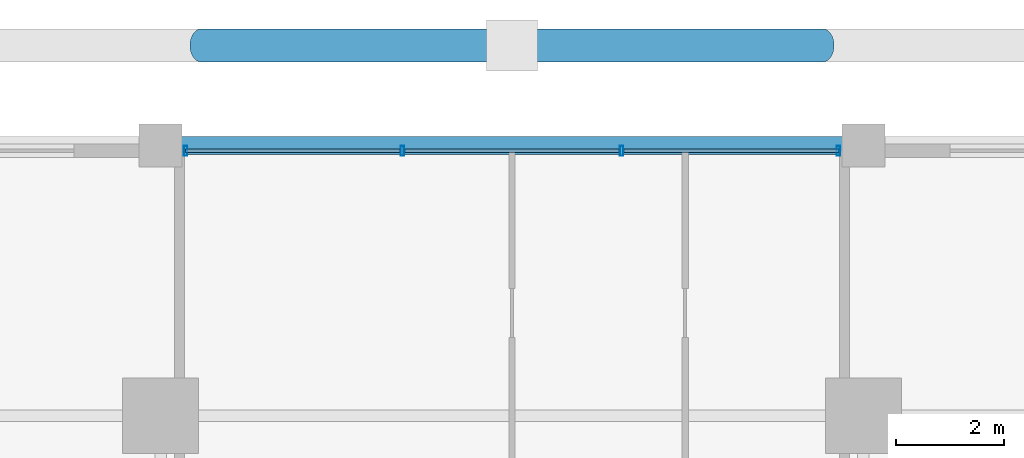
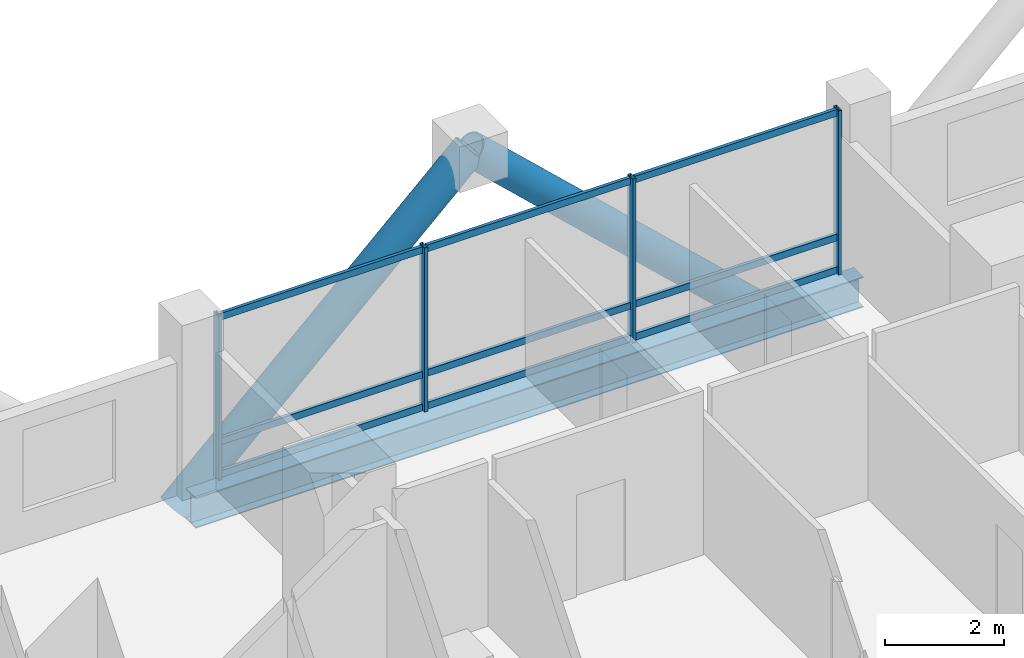
# One storey, part 13 of 24: 15 members, 1 beam, 1 element without a shape of its own.
"""IFC4 building model written with IfcOpenShell, lengths in metres."""

from ifc_helpers import new_model, si_unit, direction, frame, origin, origin_2d, place, context, subcontext, project, spatial, hollow_rectangle, hollow_circle, i_section, extrude, material, layer, layer_set, material_profile, profile_set, type_object, element, aggregate, save


model = new_model("IFC4")

# Units and contexts
model_context = context("Model", 3, precision=1e-05, world=origin(), true_north=direction((0.0, 1.0)))
body_context = subcontext(model_context, "Body", "Model", "MODEL_VIEW")
ifc_project = project(units=[si_unit("LENGTHUNIT", "METRE"), si_unit("AREAUNIT", "SQUARE_METRE"), si_unit("VOLUMEUNIT", "CUBIC_METRE"), si_unit("PLANEANGLEUNIT", "RADIAN"), si_unit("MASSUNIT", "GRAM", prefix="KILO")], contexts=[model_context])

# Site, building, storey
site_placement = place(None, origin())
site = spatial("IfcSite", under=ifc_project, at=site_placement, CompositionType="ELEMENT")
building_placement = place(site_placement, origin())
building = spatial("IfcBuilding", under=site, at=building_placement, Name="Barlavira Tower and Art Museum", CompositionType="ELEMENT")
storey_placement = place(building_placement, frame((0.0, 0.0, 46.800048828125)))
storey = spatial("IfcBuildingStorey", under=building, at=storey_placement, Name="L10", CompositionType="ELEMENT", Elevation=46.800048828125)

# Curtain wall, members
ifc_material_1 = material(Name="Low-iron coastal laminated glass", Category="glass")
ifc_layer = layer(ifc_material_1, 0.179931640625, Name="Low-iron coastal laminated glass")
ifc_layer_set = layer_set([ifc_layer], Name="Low-iron coastal laminated glass")
curtain_wall_type = type_object("IfcCurtainWallType", Name="Pale-Metal Unitised Curtain Wall Zone 1", PredefinedType="NOTDEFINED", material=ifc_layer_set)
curtain_wall_placement = place(storey_placement, origin())
curtain_wall = element("IfcCurtainWall", 1, at=curtain_wall_placement, inside=storey, type_object=curtain_wall_type, Name="L10 Curtain Wall CW1-L10-N-B3", PredefinedType="NOTDEFINED")
ifc_material_2 = material(Name="Pale anodised aluminium", Category="aluminium")
ifc_material_profile_1 = material_profile(ifc_material_2, hollow_rectangle(XDim=0.06494140625, YDim=0.179931640625, WallThickness=0.00390625, at=origin_2d()), Name="ALU-MULL 65x180x4")
ifc_profile_set_1 = profile_set([ifc_material_profile_1], Name="Pale anodised aluminium")
member_type_1 = type_object("IfcMemberType", Name="Curtain Wall Pale-Metal Mullion 65x180", PredefinedType="MULLION", material=ifc_profile_set_1)
member_1_placement = place(storey_placement, frame((6.034912109375, 24.89990234375, 0.0), z_axis=(0.0, 0.0, 1.0), x_axis=(-1.0, 0.0, 0.0)))
member_1 = element("IfcMember", 2, at=member_1_placement, type_object=member_type_1, Name="CW1-L10-N-B3 Mullion 0", PredefinedType="MULLION", context=body_context, shape_type="SweptSolid", body=[
    extrude(hollow_rectangle(XDim=0.06494140625, YDim=0.179931640625, WallThickness=0.00390625, at=origin_2d()), origin(), (0.0, 0.0, 1.0), 3.3798828125),
])
member_2_placement = place(storey_placement, frame((2.026611328125, 24.89990234375, 0.0), z_axis=(0.0, 0.0, 1.0), x_axis=(-1.0, 0.0, 0.0)))
member_2 = element("IfcMember", 3, at=member_2_placement, type_object=member_type_1, Name="CW1-L10-N-B3 Mullion 1", PredefinedType="MULLION", context=body_context, shape_type="SweptSolid", body=[
    extrude(hollow_rectangle(XDim=0.06494140625, YDim=0.179931640625, WallThickness=0.00390625, at=origin_2d()), origin(), (0.0, 0.0, 1.0), 3.3798828125),
])
member_3_placement = place(storey_placement, frame((-2.026611328125, 24.89990234375, 0.0), z_axis=(0.0, 0.0, 1.0), x_axis=(-1.0, 0.0, 0.0)))
member_3 = element("IfcMember", 4, at=member_3_placement, type_object=member_type_1, Name="CW1-L10-N-B3 Mullion 2", PredefinedType="MULLION", context=body_context, shape_type="SweptSolid", body=[
    extrude(hollow_rectangle(XDim=0.06494140625, YDim=0.179931640625, WallThickness=0.00390625, at=origin_2d()), origin(), (0.0, 0.0, 1.0), 3.3798828125),
])
member_4_placement = place(storey_placement, frame((-6.034912109375, 24.89990234375, 0.0), z_axis=(0.0, 0.0, 1.0), x_axis=(-1.0, 0.0, 0.0)))
member_4 = element("IfcMember", 5, at=member_4_placement, type_object=member_type_1, Name="CW1-L10-N-B3 Mullion 3", PredefinedType="MULLION", context=body_context, shape_type="SweptSolid", body=[
    extrude(hollow_rectangle(XDim=0.06494140625, YDim=0.179931640625, WallThickness=0.00390625, at=origin_2d()), origin(), (0.0, 0.0, 1.0), 3.3798828125),
])
ifc_material_profile_2 = material_profile(ifc_material_2, hollow_rectangle(XDim=0.06494140625, YDim=0.139892578125, WallThickness=0.00390625, at=origin_2d()), Name="ALU-TRAN 65x140x4")
ifc_profile_set_2 = profile_set([ifc_material_profile_2], Name="Pale anodised aluminium")
member_type_2 = type_object("IfcMemberType", Name="Curtain Wall Pale-Metal Transom 65x140", PredefinedType="USERDEFINED", material=ifc_profile_set_2)
member_5_placement = place(storey_placement, frame((6.034912109375, 24.89990234375, 0.070068359375), z_axis=(-1.0, 0.0, 0.0), x_axis=(0.0, -1.0, 0.0)))
member_5 = element("IfcMember", 6, at=member_5_placement, type_object=member_type_2, Name="CW1-L10-N-B3 Transom 0.1", ObjectType="TRANSOM", PredefinedType="USERDEFINED", context=body_context, shape_type="SweptSolid", body=[
    extrude(hollow_rectangle(XDim=0.06494140625, YDim=0.139892578125, WallThickness=0.00390625, at=origin_2d()), origin(), (0.0, 0.0, 1.0), 3.963134765625),
])
member_6_placement = place(storey_placement, frame((6.034912109375, 24.89990234375, 0.743896484375), z_axis=(-1.0, 0.0, 0.0), x_axis=(0.0, -1.0, 0.0)))
member_6 = element("IfcMember", 7, at=member_6_placement, type_object=member_type_2, Name="CW1-L10-N-B3 Transom 0.2", ObjectType="TRANSOM", PredefinedType="USERDEFINED", context=body_context, shape_type="SweptSolid", body=[
    extrude(hollow_rectangle(XDim=0.06494140625, YDim=0.139892578125, WallThickness=0.00390625, at=origin_2d()), origin(), (0.0, 0.0, 1.0), 3.963134765625),
])
member_7_placement = place(storey_placement, frame((6.034912109375, 24.89990234375, 3.31005859375), z_axis=(-1.0, 0.0, 0.0), x_axis=(0.0, -1.0, 0.0)))
member_7 = element("IfcMember", 8, at=member_7_placement, type_object=member_type_2, Name="CW1-L10-N-B3 Transom 0.3", ObjectType="TRANSOM", PredefinedType="USERDEFINED", context=body_context, shape_type="SweptSolid", body=[
    extrude(hollow_rectangle(XDim=0.06494140625, YDim=0.139892578125, WallThickness=0.00390625, at=origin_2d()), origin(), (0.0, 0.0, 1.0), 3.963134765625),
])
member_8_placement = place(storey_placement, frame((1.981689453125, 24.89990234375, 0.070068359375), z_axis=(-1.0, 0.0, 0.0), x_axis=(0.0, -1.0, 0.0)))
member_8 = element("IfcMember", 9, at=member_8_placement, type_object=member_type_2, Name="CW1-L10-N-B3 Transom 1.1", ObjectType="TRANSOM", PredefinedType="USERDEFINED", context=body_context, shape_type="SweptSolid", body=[
    extrude(hollow_rectangle(XDim=0.06494140625, YDim=0.139892578125, WallThickness=0.00390625, at=origin_2d()), origin(), (0.0, 0.0, 1.0), 3.96337890625),
])
member_9_placement = place(storey_placement, frame((1.981689453125, 24.89990234375, 0.743896484375), z_axis=(-1.0, 0.0, 0.0), x_axis=(0.0, -1.0, 0.0)))
member_9 = element("IfcMember", 10, at=member_9_placement, type_object=member_type_2, Name="CW1-L10-N-B3 Transom 1.2", ObjectType="TRANSOM", PredefinedType="USERDEFINED", context=body_context, shape_type="SweptSolid", body=[
    extrude(hollow_rectangle(XDim=0.06494140625, YDim=0.139892578125, WallThickness=0.00390625, at=origin_2d()), origin(), (0.0, 0.0, 1.0), 3.96337890625),
])
member_10_placement = place(storey_placement, frame((1.981689453125, 24.89990234375, 3.31005859375), z_axis=(-1.0, 0.0, 0.0), x_axis=(0.0, -1.0, 0.0)))
member_10 = element("IfcMember", 11, at=member_10_placement, type_object=member_type_2, Name="CW1-L10-N-B3 Transom 1.3", ObjectType="TRANSOM", PredefinedType="USERDEFINED", context=body_context, shape_type="SweptSolid", body=[
    extrude(hollow_rectangle(XDim=0.06494140625, YDim=0.139892578125, WallThickness=0.00390625, at=origin_2d()), origin(), (0.0, 0.0, 1.0), 3.96337890625),
])
member_11_placement = place(storey_placement, frame((-2.07177734375, 24.89990234375, 0.070068359375), z_axis=(-1.0, 0.0, 0.0), x_axis=(0.0, -1.0, 0.0)))
member_11 = element("IfcMember", 12, at=member_11_placement, type_object=member_type_2, Name="CW1-L10-N-B3 Transom 2.1", ObjectType="TRANSOM", PredefinedType="USERDEFINED", context=body_context, shape_type="SweptSolid", body=[
    extrude(hollow_rectangle(XDim=0.06494140625, YDim=0.139892578125, WallThickness=0.00390625, at=origin_2d()), origin(), (0.0, 0.0, 1.0), 3.963134765625),
])
member_12_placement = place(storey_placement, frame((-2.07177734375, 24.89990234375, 0.743896484375), z_axis=(-1.0, 0.0, 0.0), x_axis=(0.0, -1.0, 0.0)))
member_12 = element("IfcMember", 13, at=member_12_placement, type_object=member_type_2, Name="CW1-L10-N-B3 Transom 2.2", ObjectType="TRANSOM", PredefinedType="USERDEFINED", context=body_context, shape_type="SweptSolid", body=[
    extrude(hollow_rectangle(XDim=0.06494140625, YDim=0.139892578125, WallThickness=0.00390625, at=origin_2d()), origin(), (0.0, 0.0, 1.0), 3.963134765625),
])
member_13_placement = place(storey_placement, frame((-2.07177734375, 24.89990234375, 3.31005859375), z_axis=(-1.0, 0.0, 0.0), x_axis=(0.0, -1.0, 0.0)))
member_13 = element("IfcMember", 14, at=member_13_placement, type_object=member_type_2, Name="CW1-L10-N-B3 Transom 2.3", ObjectType="TRANSOM", PredefinedType="USERDEFINED", context=body_context, shape_type="SweptSolid", body=[
    extrude(hollow_rectangle(XDim=0.06494140625, YDim=0.139892578125, WallThickness=0.00390625, at=origin_2d()), origin(), (0.0, 0.0, 1.0), 3.963134765625),
])
aggregate(curtain_wall, [member_1, member_2, member_3, member_4, member_5, member_6, member_7, member_8, member_9, member_10, member_11, member_12, member_13])

# Members
ifc_material_3 = material(Name="Steel S355", Category="steel")
ifc_material_profile_3 = material_profile(ifc_material_3, hollow_circle(Radius=0.304931640625, WallThickness=0.028076171875, at=origin_2d()), Name="CHS 610.0x28.0")
ifc_profile_set_3 = profile_set([ifc_material_profile_3], Name="Steel S355")
member_type_3 = type_object("IfcMemberType", Name="Pale-Metal Exoskeleton Diagrid Tube CHS 610x28 Steel S355", PredefinedType="BRACE", material=ifc_profile_set_3)
for number, where, z_axis, x_axis, name in (
    (15, (-5.75, 26.85009765625, -1.920166015625), (0.728934650808, 0.0, 0.684583285548), (0.0, 1.0, 0.0), "L10 Exoskeleton Diagrid Tube N"),
    (16, (5.75, 26.85009765625, -1.920166015625), (-0.728934650808, 0.0, 0.684583285548), (0.0, -1.0, 0.0), "L10 Exoskeleton Diagrid Tube N"),
):
    element("IfcMember", number, at=place(storey_placement, frame(where, z_axis=z_axis, x_axis=x_axis)), inside=storey, type_object=member_type_3, Name=name, PredefinedType="BRACE", context=body_context, shape_type="SweptSolid", body=[
        extrude(hollow_circle(Radius=0.304931640625, WallThickness=0.028076171875, at=origin_2d()), origin(), (0.0, 0.0, 1.0), 7.88818359375),
    ])

# Beam
ifc_material_profile_4 = material_profile(ifc_material_3, i_section(OverallWidth=0.327880859375, OverallDepth=0.62890625, WebThickness=0.013916015625, FlangeThickness=0.021484375, at=origin_2d()), Name="W610x174.0")
ifc_profile_set_4 = profile_set([ifc_material_profile_4], Name="Steel S355")
beam_type = type_object("IfcBeamType", Name="Perimeter Spandrel Edge Beam W610x174 Steel S355", PredefinedType="SPANDREL", material=ifc_profile_set_4)
beam_placement = place(storey_placement, frame((-6.5, 25.0, -0.53466796875), z_axis=(1.0, 0.0, 0.0), x_axis=(0.0, 1.0, 0.0)))
element("IfcBeam", 17, at=beam_placement, inside=storey, type_object=beam_type, Name="L10 Spandrel 10", PredefinedType="SPANDREL", context=body_context, shape_type="SweptSolid", body=[
    extrude(i_section(OverallWidth=0.327880859375, OverallDepth=0.62890625, WebThickness=0.013916015625, FlangeThickness=0.021484375, at=origin_2d()), origin(), (0.0, 0.0, 1.0), 13.0),
])

save(model, "model.ifc")
